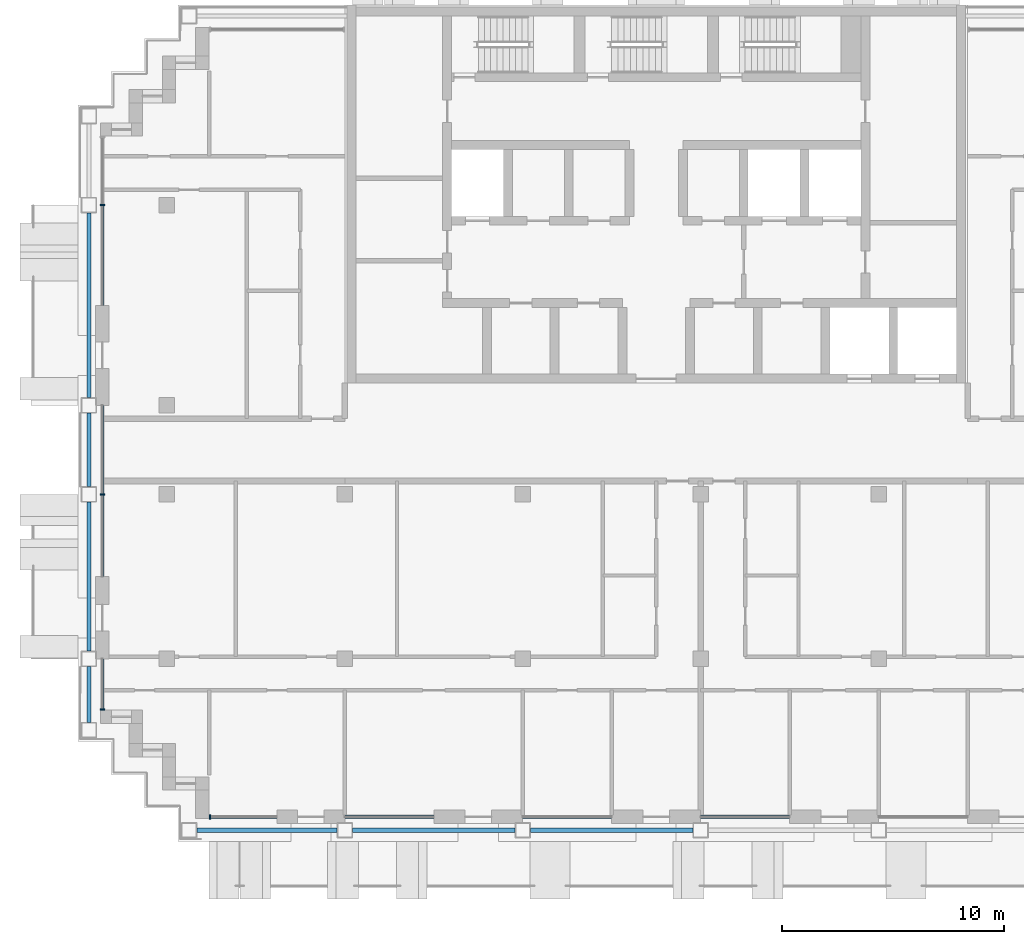
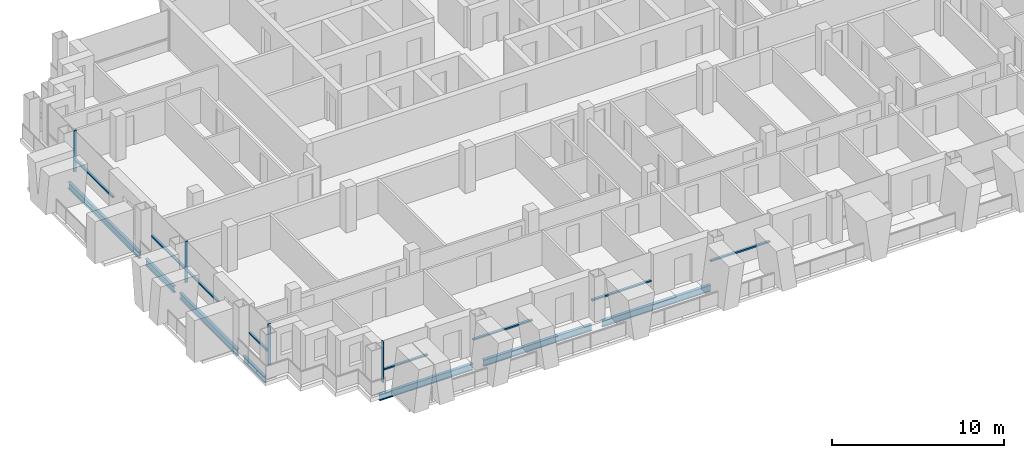
# One storey, part 2 of 16: 12 members, 7 beams, 7 elements without a shape of their own.
"""IFC4 building model written with IfcOpenShell, lengths in metres."""

from ifc_helpers import new_model, si_unit, direction, frame, origin, origin_2d, place, context, subcontext, project, spatial, rectangle, i_section, extrude, material, material_profile, profile_set, type_object, element, aggregate, save


model = new_model("IFC4")

# Units and contexts
model_context = context("Model", 3, precision=1e-05, world=origin(), true_north=direction((0.0, 1.0)))
body_context = subcontext(model_context, "Body", "Model", "MODEL_VIEW")
ifc_project = project(units=[si_unit("LENGTHUNIT", "METRE"), si_unit("AREAUNIT", "SQUARE_METRE"), si_unit("VOLUMEUNIT", "CUBIC_METRE"), si_unit("PLANEANGLEUNIT", "RADIAN"), si_unit("MASSUNIT", "GRAM", prefix="KILO")], contexts=[model_context])

# Site, building, storey
site_placement = place(None, origin())
site = spatial("IfcSite", under=ifc_project, at=site_placement, CompositionType="ELEMENT")
building_placement = place(site_placement, origin())
building = spatial("IfcBuilding", under=site, at=building_placement, Name="Vidyagriha Tower", CompositionType="ELEMENT")
storey_placement = place(building_placement, frame((0.0, 0.0, 181.300048828125)))
storey = spatial("IfcBuildingStorey", under=building, at=storey_placement, Name="L47", CompositionType="ELEMENT", Elevation=181.300048828125)

# Beams
ifc_material_1 = material(Name="Steel ASTM A992 Grade 50", Category="steel")
ifc_material_profile_1 = material_profile(ifc_material_1, i_section(OverallWidth=0.19189453125, OverallDepth=0.46240234375, WebThickness=0.010498046875, FlangeThickness=0.017578125, at=origin_2d()), Name="W18X60")
ifc_profile_set_1 = profile_set([ifc_material_profile_1], Name="Steel ASTM A992 Grade 50")
beam_type = type_object("IfcBeamType", Name="Edge beam W18X60", PredefinedType="SPANDREL", material=ifc_profile_set_1)
beam_1_placement = place(storey_placement, frame((-20.64990234375, -17.10009765625, -0.51123046875), z_axis=(1.0, 0.0, 0.0), x_axis=(0.0, 1.0, 0.0)))
element("IfcBeam", 1, at=beam_1_placement, inside=storey, type_object=beam_type, Name="st-beam-L47-S01", PredefinedType="SPANDREL", context=body_context, shape_type="SweptSolid", body=[
    extrude(i_section(OverallWidth=0.19189453125, OverallDepth=0.46240234375, WebThickness=0.010498046875, FlangeThickness=0.017578125, at=origin_2d()), origin(), (0.0, 0.0, 1.0), 6.2998046875),
])
for number, where, z_axis, x_axis, name in (
    (2, (-13.64990234375, -17.10009765625, -0.51123046875), (1.0, 0.0, 0.0), (0.0, 1.0, 0.0), "st-beam-L47-S02"),
    (3, (-5.64990234375, -17.10009765625, -0.51123046875), (1.0, 0.0, 0.0), (0.0, 1.0, 0.0), "st-beam-L47-S03"),
):
    element("IfcBeam", number, at=place(storey_placement, frame(where, z_axis=z_axis, x_axis=x_axis)), inside=storey, type_object=beam_type, Name=name, PredefinedType="SPANDREL", context=body_context, shape_type="SweptSolid", body=[
        extrude(i_section(OverallWidth=0.19189453125, OverallDepth=0.46240234375, WebThickness=0.010498046875, FlangeThickness=0.017578125, at=origin_2d()), origin(), (0.0, 0.0, 1.0), 7.2998046875),
    ])
beam_2_placement = place(storey_placement, frame((-25.5, -12.25, -0.51123046875), z_axis=(0.0, 1.0, 0.0), x_axis=(-1.0, 0.0, 0.0)))
element("IfcBeam", 4, at=beam_2_placement, inside=storey, type_object=beam_type, Name="st-beam-L47-W08", PredefinedType="SPANDREL", context=body_context, shape_type="SweptSolid", body=[
    extrude(i_section(OverallWidth=0.19189453125, OverallDepth=0.46240234375, WebThickness=0.010498046875, FlangeThickness=0.017578125, at=origin_2d()), origin(), (0.0, 0.0, 1.0), 2.5),
])
beam_3_placement = place(storey_placement, frame((-25.5, -9.050048828125, -0.51123046875), z_axis=(0.0, 1.0, 0.0), x_axis=(-1.0, 0.0, 0.0)))
element("IfcBeam", 5, at=beam_3_placement, inside=storey, type_object=beam_type, Name="st-beam-L47-W09", PredefinedType="SPANDREL", context=body_context, shape_type="SweptSolid", body=[
    extrude(i_section(OverallWidth=0.19189453125, OverallDepth=0.46240234375, WebThickness=0.010498046875, FlangeThickness=0.017578125, at=origin_2d()), origin(), (0.0, 0.0, 1.0), 6.699951171875),
])
beam_4_placement = place(storey_placement, frame((-25.5, -1.64990234375, -0.51123046875), z_axis=(0.0, 1.0, 0.0), x_axis=(-1.0, 0.0, 0.0)))
element("IfcBeam", 6, at=beam_4_placement, inside=storey, type_object=beam_type, Name="st-beam-L47-W10", PredefinedType="SPANDREL", context=body_context, shape_type="SweptSolid", body=[
    extrude(i_section(OverallWidth=0.19189453125, OverallDepth=0.46240234375, WebThickness=0.010498046875, FlangeThickness=0.017578125, at=origin_2d()), origin(), (0.0, 0.0, 1.0), 3.2998046875),
])
beam_5_placement = place(storey_placement, frame((-25.5, 2.35009765625, -0.51123046875), z_axis=(0.0, 1.0, 0.0), x_axis=(-1.0, 0.0, 0.0)))
element("IfcBeam", 7, at=beam_5_placement, inside=storey, type_object=beam_type, Name="st-beam-L47-W11", PredefinedType="SPANDREL", context=body_context, shape_type="SweptSolid", body=[
    extrude(i_section(OverallWidth=0.19189453125, OverallDepth=0.46240234375, WebThickness=0.010498046875, FlangeThickness=0.017578125, at=origin_2d()), origin(), (0.0, 0.0, 1.0), 8.2998046875),
])

# Curtain wall, member
ifc_material_2 = material(Name="Aluminium and glass curtain wall", Category="aluminium")
curtain_wall_type = type_object("IfcCurtainWallType", Name="Dwelling skin unitised curtain wall", PredefinedType="USERDEFINED", material=ifc_material_2)
curtain_wall_1_placement = place(storey_placement, origin())
curtain_wall_1 = element("IfcCurtainWall", 8, at=curtain_wall_1_placement, inside=storey, type_object=curtain_wall_type, Name="CW1 dwelling skin", ObjectType="UNITISED", PredefinedType="USERDEFINED")
ifc_material_3 = material(Name="Aluminium black anodised", Category="aluminium")
ifc_material_profile_2 = material_profile(ifc_material_3, rectangle(XDim=0.199951171875, YDim=0.070068359375, at=origin_2d()), Name="Mullion 70x200 black aluminium")
ifc_profile_set_2 = profile_set([ifc_material_profile_2], Name="Aluminium black anodised")
member_type_1 = type_object("IfcMemberType", Name="Mullion 70x200 black aluminium", PredefinedType="MULLION", material=ifc_profile_set_2)
member_1_placement = place(storey_placement, frame((-24.89990234375, 11.0, 0.0)))
member_1 = element("IfcMember", 9, at=member_1_placement, type_object=member_type_1, Name="CW1 mullion 2", PredefinedType="MULLION", context=body_context, shape_type="SweptSolid", body=[
    extrude(rectangle(XDim=0.199951171875, YDim=0.070068359375, at=origin_2d()), origin(), (0.0, 0.0, 1.0), 2.919921875),
])

curtain_wall_2_placement = place(storey_placement, origin())
curtain_wall_2 = element("IfcCurtainWall", 10, at=curtain_wall_2_placement, inside=storey, type_object=curtain_wall_type, Name="CW1 dwelling skin", ObjectType="UNITISED", PredefinedType="USERDEFINED")
member_2_placement = place(storey_placement, frame((-24.89990234375, -2.0, 0.0)))
member_2 = element("IfcMember", 11, at=member_2_placement, type_object=member_type_1, Name="CW1 mullion 2", PredefinedType="MULLION", context=body_context, shape_type="SweptSolid", body=[
    extrude(rectangle(XDim=0.199951171875, YDim=0.070068359375, at=origin_2d()), origin(), (0.0, 0.0, 1.0), 2.919921875),
])

curtain_wall_3_placement = place(storey_placement, origin())
curtain_wall_3 = element("IfcCurtainWall", 12, at=curtain_wall_3_placement, inside=storey, type_object=curtain_wall_type, Name="CW1 dwelling skin", ObjectType="UNITISED", PredefinedType="USERDEFINED")
member_3_placement = place(storey_placement, frame((-24.89990234375, -11.6650390625, 0.0)))
member_3 = element("IfcMember", 13, at=member_3_placement, type_object=member_type_1, Name="CW1 mullion 2", PredefinedType="MULLION", context=body_context, shape_type="SweptSolid", body=[
    extrude(rectangle(XDim=0.199951171875, YDim=0.070068359375, at=origin_2d()), origin(), (0.0, 0.0, 1.0), 2.919921875),
])

curtain_wall_4_placement = place(storey_placement, origin())
curtain_wall_4 = element("IfcCurtainWall", 14, at=curtain_wall_4_placement, inside=storey, type_object=curtain_wall_type, Name="CW1 dwelling skin", ObjectType="UNITISED", PredefinedType="USERDEFINED")
member_4_placement = place(storey_placement, frame((-20.06494140625, -16.5, 0.0), z_axis=(0.0, 0.0, 1.0), x_axis=(0.0, 1.0, 0.0)))
member_4 = element("IfcMember", 15, at=member_4_placement, type_object=member_type_1, Name="CW1 mullion 1", PredefinedType="MULLION", context=body_context, shape_type="SweptSolid", body=[
    extrude(rectangle(XDim=0.199951171875, YDim=0.070068359375, at=origin_2d()), origin(), (0.0, 0.0, 1.0), 2.919921875),
])

# Member
ifc_material_4 = material(Name="Aluminium black anodised", Category="aluminium")
ifc_material_profile_3 = material_profile(ifc_material_4, rectangle(XDim=0.159912109375, YDim=0.10009765625, at=origin_2d()), Name="Transom 100x160 black aluminium")
ifc_profile_set_3 = profile_set([ifc_material_profile_3], Name="Aluminium black anodised")
member_type_2 = type_object("IfcMemberType", Name="Transom 100x160 black aluminium", PredefinedType="USERDEFINED", material=ifc_profile_set_3)
member_5_placement = place(storey_placement, frame((-24.89990234375, 10.965087890625, 0.89990234375), z_axis=(0.0, -1.0, 0.0), x_axis=(1.0, 0.0, 0.0)))
member_5 = element("IfcMember", 16, at=member_5_placement, type_object=member_type_2, Name="CW1 transom 2.1", ObjectType="TRANSOM", PredefinedType="USERDEFINED", context=body_context, shape_type="SweptSolid", body=[
    extrude(rectangle(XDim=0.159912109375, YDim=0.10009765625, at=origin_2d()), origin(), (0.0, 0.0, 1.0), 4.465087890625),
])

aggregate(curtain_wall_1, [member_1, member_5])

member_6_placement = place(storey_placement, frame((-24.89990234375, 2.0, 0.89990234375), z_axis=(0.0, -1.0, 0.0), x_axis=(1.0, 0.0, 0.0)))
member_6 = element("IfcMember", 17, at=member_6_placement, type_object=member_type_2, Name="CW1 transom 1.1", ObjectType="TRANSOM", PredefinedType="USERDEFINED", context=body_context, shape_type="SweptSolid", body=[
    extrude(rectangle(XDim=0.159912109375, YDim=0.10009765625, at=origin_2d()), origin(), (0.0, 0.0, 1.0), 3.965087890625),
])

member_7_placement = place(storey_placement, frame((-24.89990234375, -2.034912109375, 0.89990234375), z_axis=(0.0, -1.0, 0.0), x_axis=(1.0, 0.0, 0.0)))
member_7 = element("IfcMember", 18, at=member_7_placement, type_object=member_type_2, Name="CW1 transom 2.1", ObjectType="TRANSOM", PredefinedType="USERDEFINED", context=body_context, shape_type="SweptSolid", body=[
    extrude(rectangle(XDim=0.159912109375, YDim=0.10009765625, at=origin_2d()), origin(), (0.0, 0.0, 1.0), 3.6650390625),
])

aggregate(curtain_wall_2, [member_2, member_6, member_7])

member_8_placement = place(storey_placement, frame((-24.89990234375, -9.39990234375, 0.89990234375), z_axis=(0.0, -1.0, 0.0), x_axis=(1.0, 0.0, 0.0)))
member_8 = element("IfcMember", 19, at=member_8_placement, type_object=member_type_2, Name="CW1 transom 1.1", ObjectType="TRANSOM", PredefinedType="USERDEFINED", context=body_context, shape_type="SweptSolid", body=[
    extrude(rectangle(XDim=0.159912109375, YDim=0.10009765625, at=origin_2d()), origin(), (0.0, 0.0, 1.0), 2.22998046875),
])

aggregate(curtain_wall_3, [member_3, member_8])

member_9_placement = place(storey_placement, frame((-20.030029296875, -16.5, 0.89990234375), z_axis=(1.0, 0.0, 0.0), x_axis=(0.0, 1.0, 0.0)))
member_9 = element("IfcMember", 20, at=member_9_placement, type_object=member_type_2, Name="CW1 transom 1.1", ObjectType="TRANSOM", PredefinedType="USERDEFINED", context=body_context, shape_type="SweptSolid", body=[
    extrude(rectangle(XDim=0.159912109375, YDim=0.10009765625, at=origin_2d()), origin(), (0.0, 0.0, 1.0), 2.97998046875),
])

aggregate(curtain_wall_4, [member_4, member_9])

# Curtain wall, member
curtain_wall_5_placement = place(storey_placement, origin())
curtain_wall_5 = element("IfcCurtainWall", 21, at=curtain_wall_5_placement, inside=storey, type_object=curtain_wall_type, Name="CW1 dwelling skin", ObjectType="UNITISED", PredefinedType="USERDEFINED")
member_10_placement = place(storey_placement, frame((-14.0, -16.5, 0.89990234375), z_axis=(1.0, 0.0, 0.0), x_axis=(0.0, 1.0, 0.0)))
member_10 = element("IfcMember", 22, at=member_10_placement, type_object=member_type_2, Name="CW1 transom 1.1", ObjectType="TRANSOM", PredefinedType="USERDEFINED", context=body_context, shape_type="SweptSolid", body=[
    extrude(rectangle(XDim=0.159912109375, YDim=0.10009765625, at=origin_2d()), origin(), (0.0, 0.0, 1.0), 4.0),
])
aggregate(curtain_wall_5, [member_10])

curtain_wall_6_placement = place(storey_placement, origin())
curtain_wall_6 = element("IfcCurtainWall", 23, at=curtain_wall_6_placement, inside=storey, type_object=curtain_wall_type, Name="CW1 dwelling skin", ObjectType="UNITISED", PredefinedType="USERDEFINED")
member_11_placement = place(storey_placement, frame((-6.0, -16.5, 0.89990234375), z_axis=(1.0, 0.0, 0.0), x_axis=(0.0, 1.0, 0.0)))
member_11 = element("IfcMember", 24, at=member_11_placement, type_object=member_type_2, Name="CW1 transom 1.1", ObjectType="TRANSOM", PredefinedType="USERDEFINED", context=body_context, shape_type="SweptSolid", body=[
    extrude(rectangle(XDim=0.159912109375, YDim=0.10009765625, at=origin_2d()), origin(), (0.0, 0.0, 1.0), 4.0),
])
aggregate(curtain_wall_6, [member_11])

curtain_wall_7_placement = place(storey_placement, origin())
curtain_wall_7 = element("IfcCurtainWall", 25, at=curtain_wall_7_placement, inside=storey, type_object=curtain_wall_type, Name="CW1 dwelling skin", ObjectType="UNITISED", PredefinedType="USERDEFINED")
member_12_placement = place(storey_placement, frame((2.0, -16.5, 0.89990234375), z_axis=(1.0, 0.0, 0.0), x_axis=(0.0, 1.0, 0.0)))
member_12 = element("IfcMember", 26, at=member_12_placement, type_object=member_type_2, Name="CW1 transom 1.1", ObjectType="TRANSOM", PredefinedType="USERDEFINED", context=body_context, shape_type="SweptSolid", body=[
    extrude(rectangle(XDim=0.159912109375, YDim=0.10009765625, at=origin_2d()), origin(), (0.0, 0.0, 1.0), 4.0),
])
aggregate(curtain_wall_7, [member_12])

save(model, "model.ifc")
